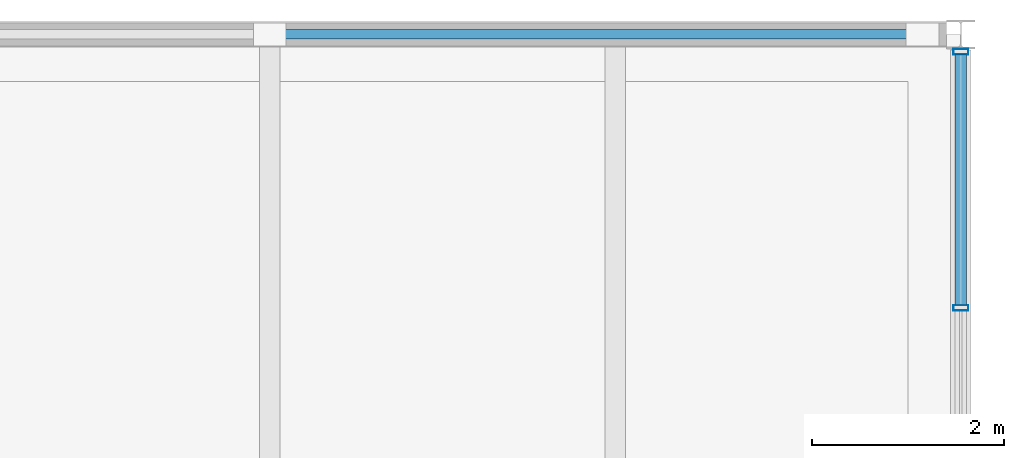
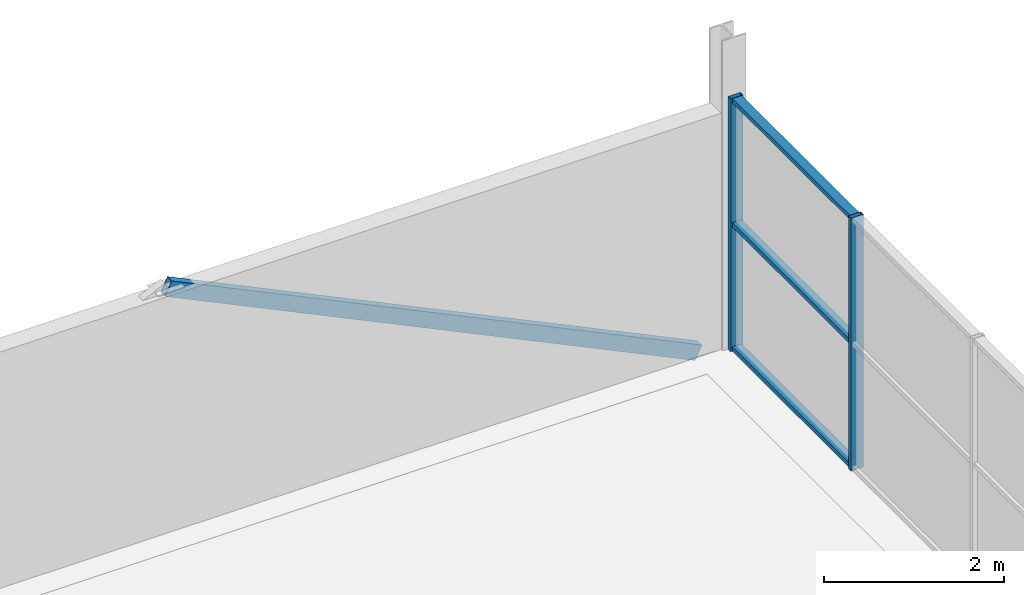
# One storey, part 52 of 68: 6 members, 1 element without a shape of its own.
"""IFC4 building model written with IfcOpenShell, lengths in metres."""

from ifc_helpers import new_model, si_unit, direction, frame, origin, origin_2d, place, context, subcontext, project, spatial, hollow_rectangle, extrude, material, material_profile, profile_set, type_object, element, aggregate, save


model = new_model("IFC4")

# Units and contexts
model_context = context("Model", 3, precision=1e-05, world=origin(), true_north=direction((0.0, 1.0)))
body_context = subcontext(model_context, "Body", "Model", "MODEL_VIEW")
ifc_project = project(units=[si_unit("LENGTHUNIT", "METRE"), si_unit("AREAUNIT", "SQUARE_METRE"), si_unit("VOLUMEUNIT", "CUBIC_METRE"), si_unit("PLANEANGLEUNIT", "RADIAN"), si_unit("MASSUNIT", "GRAM", prefix="KILO"), si_unit("THERMODYNAMICTEMPERATUREUNIT", "KELVIN")], contexts=[model_context])

# Site, building, storey
site_placement = place(None, origin())
site = spatial("IfcSite", under=ifc_project, at=site_placement, CompositionType="ELEMENT")
building_placement = place(site_placement, origin())
building = spatial("IfcBuilding", under=site, at=building_placement, Name="Nduvali Passage Aquatics Centre", CompositionType="ELEMENT")
storey_placement = place(building_placement, frame((0.0, 0.0, 13.199951171875)))
storey = spatial("IfcBuildingStorey", under=building, at=storey_placement, Name="L03", CompositionType="ELEMENT", Elevation=13.199951171875)

# Curtain wall, members
ifc_material_1 = material(Name="Aluminium EN AW-6063 T6", Category="aluminium")
curtain_wall_type = type_object("IfcCurtainWallType", Name="ENV-CW-PASS", PredefinedType="NOTDEFINED", material=ifc_material_1)
curtain_wall_placement = place(storey_placement, origin())
curtain_wall = element("IfcCurtainWall", 1, at=curtain_wall_placement, inside=storey, type_object=curtain_wall_type, Name="L03 East Passage North Teaching CW 126", PredefinedType="NOTDEFINED")
ifc_material_profile_1 = material_profile(ifc_material_1, hollow_rectangle(XDim=0.06005859375, YDim=0.159912109375, WallThickness=0.00390625, at=origin_2d()), Name="ALU MULLION 60x160x4")
ifc_profile_set_1 = profile_set([ifc_material_profile_1], Name="Aluminium EN AW-6063 T6")
member_type_1 = type_object("IfcMemberType", Name="ENV-MEM-MUL60", PredefinedType="MULLION", material=ifc_profile_set_1)
member_1_placement = place(storey_placement, frame((126.0, 114.75, 0.0), z_axis=(0.0, 0.0, 1.0), x_axis=(0.0, 1.0, 0.0)))
member_1 = element("IfcMember", 2, at=member_1_placement, type_object=member_type_1, Name="East Passage North Teaching CW Mullion 3", PredefinedType="MULLION", context=body_context, shape_type="SweptSolid", body=[
    extrude(hollow_rectangle(XDim=0.06005859375, YDim=0.159912109375, WallThickness=0.00390625, at=origin_2d()), origin(), (0.0, 0.0, 1.0), 3.4267578125),
])
member_2_placement = place(storey_placement, frame((126.0, 117.419921875, 0.0), z_axis=(0.0, 0.0, 1.0), x_axis=(0.0, 1.0, 0.0)))
member_2 = element("IfcMember", 3, at=member_2_placement, type_object=member_type_1, Name="East Passage North Teaching CW Mullion 4", PredefinedType="MULLION", context=body_context, shape_type="SweptSolid", body=[
    extrude(hollow_rectangle(XDim=0.06005859375, YDim=0.159912109375, WallThickness=0.00390625, at=origin_2d()), origin(), (0.0, 0.0, 1.0), 3.4267578125),
])
ifc_material_profile_2 = material_profile(ifc_material_1, hollow_rectangle(XDim=0.1201171875, YDim=0.06005859375, WallThickness=0.00390625, at=origin_2d()), Name="ALU TRANSOM 120x60x4")
ifc_profile_set_2 = profile_set([ifc_material_profile_2], Name="Aluminium EN AW-6063 T6")
member_type_2 = type_object("IfcMemberType", Name="ENV-MEM-TRN60", PredefinedType="USERDEFINED", material=ifc_profile_set_2)
member_3_placement = place(storey_placement, frame((126.0, 114.780029296875, 0.030029296875), z_axis=(0.0, 1.0, 0.0), x_axis=(-1.0, 0.0, 0.0)))
member_3 = element("IfcMember", 4, at=member_3_placement, type_object=member_type_2, Name="East Passage North Teaching CW Transom B3-R0", ObjectType="TRANSOM", PredefinedType="USERDEFINED", context=body_context, shape_type="SweptSolid", body=[
    extrude(hollow_rectangle(XDim=0.1201171875, YDim=0.06005859375, WallThickness=0.00390625, at=origin_2d()), origin(), (0.0, 0.0, 1.0), 2.60986328125),
])
member_4_placement = place(storey_placement, frame((126.0, 114.780029296875, 1.71337890625), z_axis=(0.0, 1.0, 0.0), x_axis=(-1.0, 0.0, 0.0)))
member_4 = element("IfcMember", 5, at=member_4_placement, type_object=member_type_2, Name="East Passage North Teaching CW Transom B3-R1", ObjectType="TRANSOM", PredefinedType="USERDEFINED", context=body_context, shape_type="SweptSolid", body=[
    extrude(hollow_rectangle(XDim=0.1201171875, YDim=0.06005859375, WallThickness=0.00390625, at=origin_2d()), origin(), (0.0, 0.0, 1.0), 2.60986328125),
])
member_5_placement = place(storey_placement, frame((126.0, 114.780029296875, 3.396728515625), z_axis=(0.0, 1.0, 0.0), x_axis=(-1.0, 0.0, 0.0)))
member_5 = element("IfcMember", 6, at=member_5_placement, type_object=member_type_2, Name="East Passage North Teaching CW Transom B3-R2", ObjectType="TRANSOM", PredefinedType="USERDEFINED", context=body_context, shape_type="SweptSolid", body=[
    extrude(hollow_rectangle(XDim=0.1201171875, YDim=0.06005859375, WallThickness=0.00390625, at=origin_2d()), origin(), (0.0, 0.0, 1.0), 2.60986328125),
])
aggregate(curtain_wall, [member_1, member_2, member_3, member_4, member_5])

# Member
ifc_material_2 = material(Name="Steel S355", Category="steel")
ifc_material_profile_3 = material_profile(ifc_material_2, hollow_rectangle(XDim=0.10009765625, YDim=0.199951171875, WallThickness=0.00634765625, at=origin_2d()), Name="RHS 200x100x6.3")
ifc_profile_set_3 = profile_set([ifc_material_profile_3], Name="Steel S355")
member_type_3 = type_object("IfcMemberType", Name="STR-MEM-RHS200", PredefinedType="BRACE", material=ifc_profile_set_3)
member_6_placement = place(storey_placement, frame((125.60009765625, 117.60009765625, 0.0), z_axis=(-0.902247666289, 0.0, 0.431218214686), x_axis=(0.0, -1.0, 0.0)))
element("IfcMember", 7, at=member_6_placement, inside=storey, type_object=member_type_3, Name="L03 Chevron Frame Brace 8R", PredefinedType="BRACE", context=body_context, shape_type="SweptSolid", body=[
    extrude(hollow_rectangle(XDim=0.10009765625, YDim=0.199951171875, WallThickness=0.00634765625, at=origin_2d()), origin(), (0.0, 0.0, 1.0), 7.536865234375),
])

save(model, "model.ifc")
